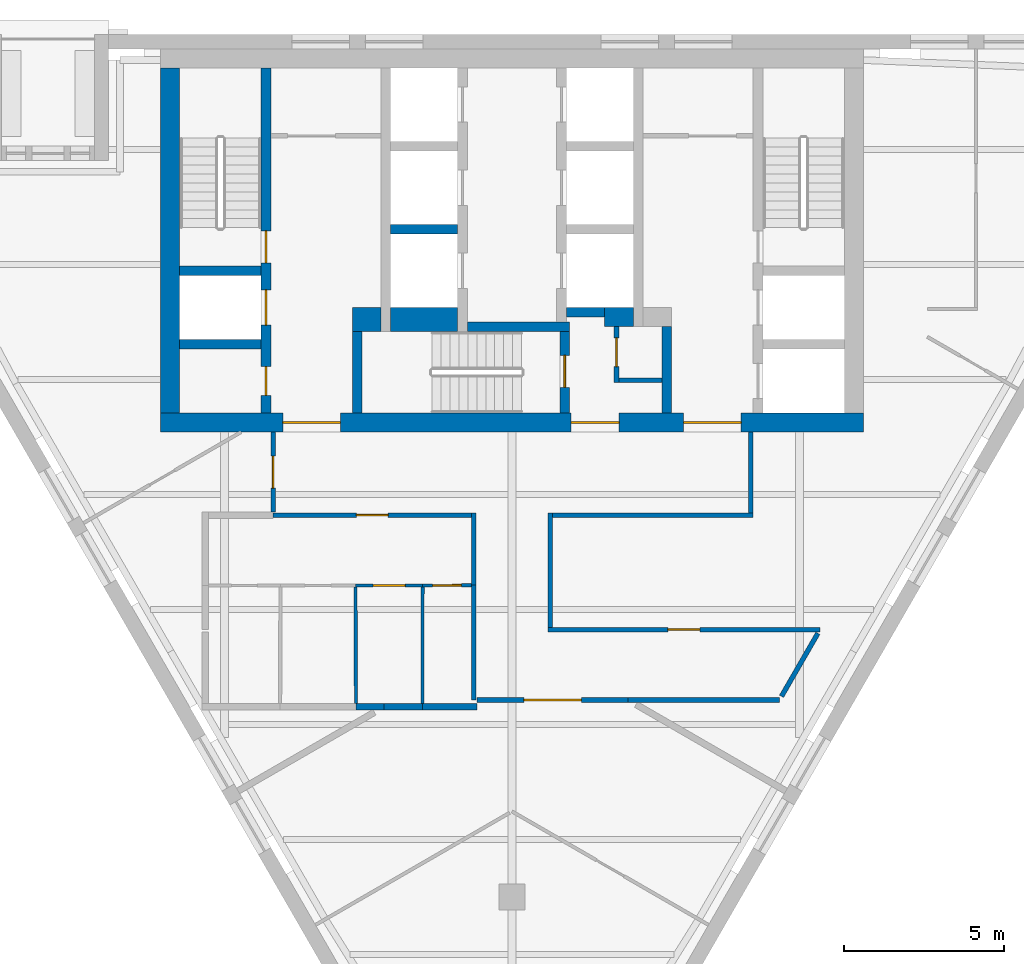
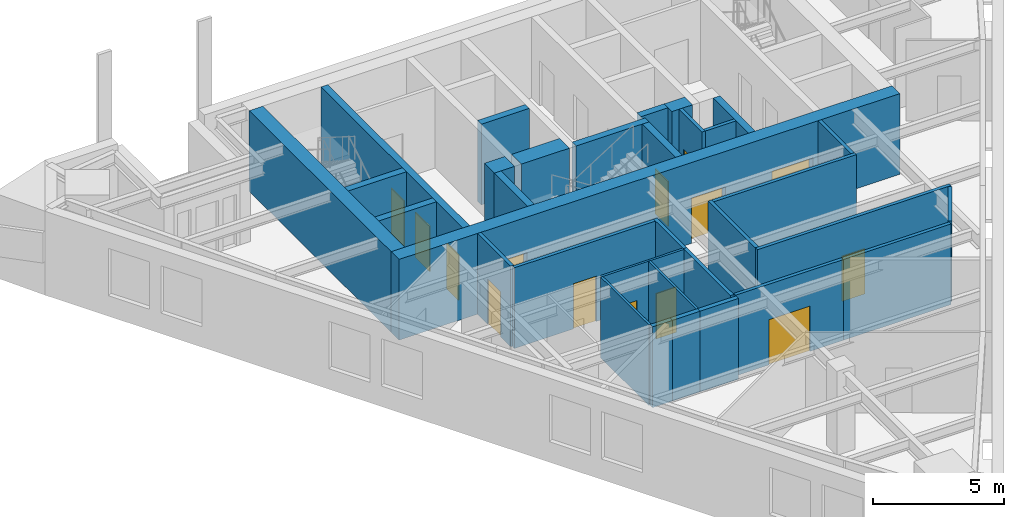
# One storey, part 3 of 6: 34 walls, 14 doors, 14 openings.
"""IFC4 building model written with IfcOpenShell, lengths in metres."""

from ifc_helpers import new_model, si_unit, direction, frame, frame_2d, origin, place, context, subcontext, project, spatial, rectangle, extrude, material, layer, layer_set, type_object, element, fill, save


model = new_model("IFC4")

# Units and contexts
model_context = context("Model", 3, precision=1e-05, world=origin(), true_north=direction((0.0, 1.0)))
body_context = subcontext(model_context, "Body", "Model", "MODEL_VIEW")
ifc_project = project(units=[si_unit("LENGTHUNIT", "METRE"), si_unit("AREAUNIT", "SQUARE_METRE"), si_unit("VOLUMEUNIT", "CUBIC_METRE"), si_unit("PLANEANGLEUNIT", "RADIAN"), si_unit("MASSUNIT", "GRAM", prefix="KILO")], contexts=[model_context])

# Site, building, storey
site_placement = place(None, origin())
site = spatial("IfcSite", under=ifc_project, at=site_placement, CompositionType="ELEMENT")
building_placement = place(site_placement, origin())
building = spatial("IfcBuilding", under=site, at=building_placement, Name="Aloe Facet Convention Tower", CompositionType="ELEMENT")
storey_placement = place(building_placement, frame((0.0, 0.0, 191.89990234375)))
storey = spatial("IfcBuildingStorey", under=building, at=storey_placement, Name="L48", CompositionType="ELEMENT", Elevation=191.89990234375)

# Wall, opening, door
ifc_material_1 = material(Name="Concrete blockwork partition", Category="masonry")
ifc_layer_1 = layer(ifc_material_1, 0.14990234375)
ifc_layer_set_1 = layer_set([ifc_layer_1], Name="CR-W-PART150")
wall_type_1 = type_object("IfcWallType", Name="CR-W-PART150", PredefinedType="PARTITIONING", material=ifc_layer_set_1)
wall_1_placement = place(storey_placement, frame((83.27490234375, 125.85009765625, 0.0), z_axis=(0.0, 0.0, 1.0), x_axis=(0.0, -1.0, 0.0)))
wall_1 = element("IfcWall", 1, at=wall_1_placement, inside=storey, type_object=wall_type_1, Name="Core partition L48-022", PredefinedType="PARTITIONING", context=body_context, shape_type="SweptSolid", body=[
    extrude(rectangle(XDim=1.75, YDim=0.14990234375, at=frame_2d((0.875, 0.0))), origin(), (0.0, 0.0, 1.0), 3.75),
])
opening_1_placement = place(wall_1_placement, frame((0.35009765625, 0.0, 0.0)))
opening_1 = element("IfcOpeningElement", 2, at=opening_1_placement, cuts=wall_1, Name="Opening L48-CD12", PredefinedType="OPENING", context=body_context, shape_type="SweptSolid", body=[
    extrude(rectangle(XDim=0.89990234375, YDim=2.10009765625, at=frame_2d((0.449951171875, 1.050048828125))), frame((0.0, 0.0849609375, 0.0), z_axis=(0.0, -1.0, 0.0), x_axis=(1.0, 0.0, 0.0)), (0.0, 0.0, 1.0), 0.169921875),
])
ifc_material_2 = material(Name="Steel fire-resisting door set FD60", Category="steel")
door_type_1 = type_object("IfcDoorType", Name="CR-D-REFUGE-900-FD60-SRIGHT", OperationType="SINGLE_SWING_RIGHT", PredefinedType="DOOR", material=ifc_material_2)
door_1_placement = place(opening_1_placement, origin())
door_1 = element("IfcDoor", 3, at=door_1_placement, inside=storey, type_object=door_type_1, Name="Core door L48-CD12", OperationType="SINGLE_SWING_RIGHT", OverallHeight=2.10009765625, OverallWidth=0.89990234375, PredefinedType="DOOR", context=body_context, shape_type="SweptSolid", body=[
    extrude(rectangle(XDim=0.89990234375, YDim=2.10009765625, at=frame_2d((0.449951171875, 1.050048828125))), frame((0.0, 0.02490234375, 0.0), z_axis=(0.0, -1.0, 0.0), x_axis=(1.0, 0.0, 0.0)), (0.0, 0.0, 1.0), 0.050048828125),
])
fill(opening_1, door_1)

# Walls
wall_2_placement = place(storey_placement, frame((83.35009765625, 124.175048828125, 0.0), z_axis=(0.0, 0.0, 1.0), x_axis=(1.0, 0.0, 0.0)))
element("IfcWall", 4, at=wall_2_placement, inside=storey, type_object=wall_type_1, Name="Core partition L48-023", PredefinedType="PARTITIONING", context=body_context, shape_type="SweptSolid", body=[
    extrude(rectangle(XDim=1.349853515625, YDim=0.14990234375, at=frame_2d((0.6748046875, 0.0))), origin(), (0.0, 0.0, 1.0), 3.75),
])
ifc_material_3 = material(Name="Concrete C50/60", Category="concrete")
ifc_layer_2 = layer(ifc_material_3, 0.300048828125)
ifc_layer_set_2 = layer_set([ifc_layer_2], Name="CR-W-RC300-C5060")
wall_type_2 = type_object("IfcWallType", Name="CR-W-RC300-C5060", PredefinedType="SOLIDWALL", material=ifc_layer_set_2)
for number, where, z_axis, x_axis, name in (
    (5, (69.60009765625, 127.60009765625, 0.0), (0.0, 0.0, 1.0), (1.0, 0.0, 0.0), "Core wall L48-004"),
    (6, (69.60009765625, 125.300048828125, 0.0), (0.0, 0.0, 1.0), (1.0, 0.0, 0.0), "Core wall L48-005"),
):
    element("IfcWall", number, at=place(storey_placement, frame(where, z_axis=z_axis, x_axis=x_axis)), inside=storey, type_object=wall_type_2, Name=name, PredefinedType="SOLIDWALL", context=body_context, shape_type="SweptSolid", body=[
        extrude(rectangle(XDim=2.5498046875, YDim=0.300048828125, at=frame_2d((1.27490234375, 0.0))), origin(), (0.0, 0.0, 1.0), 3.75),
    ])

# Wall, openings, doors
wall_3_placement = place(storey_placement, frame((72.300048828125, 133.949951171875, 0.0), z_axis=(0.0, 0.0, 1.0), x_axis=(0.0, -1.0, 0.0)))
wall_3 = element("IfcWall", 7, at=wall_3_placement, inside=storey, type_object=wall_type_2, Name="Core wall L48-006", PredefinedType="SOLIDWALL", context=body_context, shape_type="SweptSolid", body=[
    extrude(rectangle(XDim=10.800048828125, YDim=0.300048828125, at=frame_2d((5.39990234375, 0.0))), origin(), (0.0, 0.0, 1.0), 3.75),
])
opening_2_placement = place(wall_3_placement, frame((6.949951171875, 0.0, 0.0)))
opening_2 = element("IfcOpeningElement", 8, at=opening_2_placement, cuts=wall_3, Name="Opening LD-FF1-L48", PredefinedType="OPENING", context=body_context, shape_type="SweptSolid", body=[
    extrude(rectangle(XDim=1.10009765625, YDim=2.10009765625, at=frame_2d((0.550048828125, 1.050048828125))), frame((0.0, 0.16015625, 0.0), z_axis=(0.0, -1.0, 0.0), x_axis=(1.0, 0.0, 0.0)), (0.0, 0.0, 1.0), 0.320068359375),
])
opening_3_placement = place(wall_3_placement, frame((9.35009765625, 0.0, 0.0)))
opening_3 = element("IfcOpeningElement", 9, at=opening_3_placement, cuts=wall_3, Name="Opening L48-CD15", PredefinedType="OPENING", context=body_context, shape_type="SweptSolid", body=[
    extrude(rectangle(XDim=0.89990234375, YDim=2.10009765625, at=frame_2d((0.449951171875, 1.050048828125))), frame((0.0, 0.16015625, 0.0), z_axis=(0.0, -1.0, 0.0), x_axis=(1.0, 0.0, 0.0)), (0.0, 0.0, 1.0), 0.320068359375),
])
opening_4_placement = place(wall_3_placement, frame((5.10009765625, 0.0, 0.0)))
opening_4 = element("IfcOpeningElement", 10, at=opening_4_placement, cuts=wall_3, Name="Opening L48-CD16", PredefinedType="OPENING", context=body_context, shape_type="SweptSolid", body=[
    extrude(rectangle(XDim=1.0, YDim=2.10009765625, at=frame_2d((0.5, 1.050048828125))), frame((0.0, 0.16015625, 0.0), z_axis=(0.0, -1.0, 0.0), x_axis=(1.0, 0.0, 0.0)), (0.0, 0.0, 1.0), 0.320068359375),
])
ifc_material_4 = material(Name="Steel fire-resisting door set FD60", Category="steel")
door_type_2 = type_object("IfcDoorType", Name="CR-D-ROOM-900-FD60-SLEFT", OperationType="SINGLE_SWING_LEFT", PredefinedType="DOOR", material=ifc_material_4)
door_2_placement = place(opening_3_placement, origin())
door_2 = element("IfcDoor", 11, at=door_2_placement, inside=storey, type_object=door_type_2, Name="Core door L48-CD15", OperationType="SINGLE_SWING_LEFT", OverallHeight=2.10009765625, OverallWidth=0.89990234375, PredefinedType="DOOR", context=body_context, shape_type="SweptSolid", body=[
    extrude(rectangle(XDim=0.89990234375, YDim=2.10009765625, at=frame_2d((0.449951171875, 1.050048828125))), frame((0.0, 0.02490234375, 0.0), z_axis=(0.0, -1.0, 0.0), x_axis=(1.0, 0.0, 0.0)), (0.0, 0.0, 1.0), 0.050048828125),
])
fill(opening_3, door_2)
ifc_material_5 = material(Name="Steel fire-resisting door set FD120", Category="steel")
door_type_3 = type_object("IfcDoorType", Name="CR-D-STAIR-1000-FD120-SRIGHT", OperationType="SINGLE_SWING_RIGHT", PredefinedType="DOOR", material=ifc_material_5)
door_3_placement = place(opening_4_placement, origin())
door_3 = element("IfcDoor", 12, at=door_3_placement, inside=storey, type_object=door_type_3, Name="Core door L48-CD16", OperationType="SINGLE_SWING_RIGHT", OverallHeight=2.10009765625, OverallWidth=1.0, PredefinedType="DOOR", context=body_context, shape_type="SweptSolid", body=[
    extrude(rectangle(XDim=1.0, YDim=2.10009765625, at=frame_2d((0.5, 1.050048828125))), frame((0.0, 0.02490234375, 0.0), z_axis=(0.0, -1.0, 0.0), x_axis=(1.0, 0.0, 0.0)), (0.0, 0.0, 1.0), 0.050048828125),
])
fill(opening_4, door_3)
ifc_material_6 = material(Name="Stainless steel sliding landing door", Category="steel")
door_type_4 = type_object("IfcDoorType", Name="CR-LD-1100-FD120-_LEFT", OperationType="SLIDING_TO_LEFT", PredefinedType="DOOR", material=ifc_material_6)
door_4_placement = place(opening_2_placement, origin())
door_4 = element("IfcDoor", 13, at=door_4_placement, inside=storey, type_object=door_type_4, Name="Landing door FF1 L48", OperationType="SLIDING_TO_LEFT", OverallHeight=2.10009765625, OverallWidth=1.10009765625, PredefinedType="DOOR", context=body_context, shape_type="SweptSolid", body=[
    extrude(rectangle(XDim=1.10009765625, YDim=2.10009765625, at=frame_2d((0.550048828125, 1.050048828125))), frame((0.0, 0.02490234375, 0.0), z_axis=(0.0, -1.0, 0.0), x_axis=(1.0, 0.0, 0.0)), (0.0, 0.0, 1.0), 0.050048828125),
])
fill(opening_2, door_4)

# Walls
wall_4_placement = place(storey_placement, frame((75.14990234375, 125.699951171875, 0.0), z_axis=(0.0, 0.0, 1.0), x_axis=(0.0, -1.0, 0.0)))
element("IfcWall", 14, at=wall_4_placement, inside=storey, type_object=wall_type_2, Name="Core wall L48-009", PredefinedType="SOLIDWALL", context=body_context, shape_type="SweptSolid", body=[
    extrude(rectangle(XDim=2.550048828125, YDim=0.300048828125, at=frame_2d((1.27490234375, 0.0))), origin(), (0.0, 0.0, 1.0), 3.75),
])
wall_5_placement = place(storey_placement, frame((76.199951171875, 128.89990234375, 0.0), z_axis=(0.0, 0.0, 1.0), x_axis=(1.0, 0.0, 0.0)))
element("IfcWall", 15, at=wall_5_placement, inside=storey, type_object=wall_type_2, Name="Core wall L48-012", PredefinedType="SOLIDWALL", context=body_context, shape_type="SweptSolid", body=[
    extrude(rectangle(XDim=2.10009765625, YDim=0.300048828125, at=frame_2d((1.050048828125, 0.0))), origin(), (0.0, 0.0, 1.0), 3.75),
])
wall_6_placement = place(storey_placement, frame((78.60009765625, 125.85009765625, 0.0), z_axis=(0.0, 0.0, 1.0), x_axis=(1.0, 0.0, 0.0)))
element("IfcWall", 16, at=wall_6_placement, inside=storey, type_object=wall_type_2, Name="Core wall L48-015", PredefinedType="SOLIDWALL", context=body_context, shape_type="SweptSolid", body=[
    extrude(rectangle(XDim=3.199951171875, YDim=0.300048828125, at=frame_2d((1.60009765625, 0.0))), origin(), (0.0, 0.0, 1.0), 3.75),
])

# Wall, opening, door
wall_7_placement = place(storey_placement, frame((81.64990234375, 125.699951171875, 0.0), z_axis=(0.0, 0.0, 1.0), x_axis=(0.0, -1.0, 0.0)))
wall_7 = element("IfcWall", 17, at=wall_7_placement, inside=storey, type_object=wall_type_2, Name="Core wall L48-017", PredefinedType="SOLIDWALL", context=body_context, shape_type="SweptSolid", body=[
    extrude(rectangle(XDim=2.550048828125, YDim=0.300048828125, at=frame_2d((1.27490234375, 0.0))), origin(), (0.0, 0.0, 1.0), 3.75),
])
opening_5_placement = place(wall_7_placement, frame((0.75, 0.0, 0.0)))
opening_5 = element("IfcOpeningElement", 18, at=opening_5_placement, cuts=wall_7, Name="Opening L48-CD18", PredefinedType="OPENING", context=body_context, shape_type="SweptSolid", body=[
    extrude(rectangle(XDim=1.0, YDim=2.10009765625, at=frame_2d((0.5, 1.050048828125))), frame((0.0, 0.16015625, 0.0), z_axis=(0.0, -1.0, 0.0), x_axis=(1.0, 0.0, 0.0)), (0.0, 0.0, 1.0), 0.320068359375),
])
ifc_material_7 = material(Name="Steel fire-resisting door set FD120", Category="steel")
door_type_5 = type_object("IfcDoorType", Name="CR-D-STAIR-1000-FD120-SLEFT", OperationType="SINGLE_SWING_LEFT", PredefinedType="DOOR", material=ifc_material_7)
door_5_placement = place(opening_5_placement, origin())
door_5 = element("IfcDoor", 19, at=door_5_placement, inside=storey, type_object=door_type_5, Name="Core door L48-CD18", OperationType="SINGLE_SWING_LEFT", OverallHeight=2.10009765625, OverallWidth=1.0, PredefinedType="DOOR", context=body_context, shape_type="SweptSolid", body=[
    extrude(rectangle(XDim=1.0, YDim=2.10009765625, at=frame_2d((0.5, 1.050048828125))), frame((0.0, 0.02490234375, 0.0), z_axis=(0.0, -1.0, 0.0), x_axis=(1.0, 0.0, 0.0)), (0.0, 0.0, 1.0), 0.050048828125),
])
fill(opening_5, door_5)

# Walls
wall_8_placement = place(storey_placement, frame((81.699951171875, 126.300048828125, 0.0), z_axis=(0.0, 0.0, 1.0), x_axis=(1.0, 0.0, 0.0)))
element("IfcWall", 20, at=wall_8_placement, inside=storey, type_object=wall_type_2, Name="Core wall L48-020", PredefinedType="SOLIDWALL", context=body_context, shape_type="SweptSolid", body=[
    extrude(rectangle(XDim=1.199951171875, YDim=0.300048828125, at=frame_2d((0.60009765625, 0.0))), origin(), (0.0, 0.0, 1.0), 3.75),
])
wall_9_placement = place(storey_placement, frame((84.85009765625, 125.85009765625, 0.0), z_axis=(0.0, 0.0, 1.0), x_axis=(0.0, -1.0, 0.0)))
element("IfcWall", 21, at=wall_9_placement, inside=storey, type_object=wall_type_2, Name="Core wall L48-027", PredefinedType="SOLIDWALL", context=body_context, shape_type="SweptSolid", body=[
    extrude(rectangle(XDim=2.7001953125, YDim=0.300048828125, at=frame_2d((1.35009765625, 0.0))), origin(), (0.0, 0.0, 1.0), 3.75),
])
ifc_material_8 = material(Name="Concrete C50/60", Category="concrete")
ifc_layer_3 = layer(ifc_material_8, 0.60009765625)
ifc_layer_set_3 = layer_set([ifc_layer_3], Name="CR-W-RC600-C5060")
wall_type_3 = type_object("IfcWallType", Name="CR-W-RC600-C5060", PredefinedType="SOLIDWALL", material=ifc_layer_set_3)
wall_10_placement = place(storey_placement, frame((69.300048828125, 133.949951171875, 0.0), z_axis=(0.0, 0.0, 1.0), x_axis=(0.0, -1.0, 0.0)))
element("IfcWall", 22, at=wall_10_placement, inside=storey, type_object=wall_type_3, Name="Core wall L48-002", PredefinedType="SOLIDWALL", context=body_context, shape_type="SweptSolid", body=[
    extrude(rectangle(XDim=10.800048828125, YDim=0.60009765625, at=frame_2d((5.39990234375, 0.0))), origin(), (0.0, 0.0, 1.0), 3.75),
])

# Wall, openings, doors
wall_11_placement = place(storey_placement, frame((69.0, 122.85009765625, 0.0), z_axis=(0.0, 0.0, 1.0), x_axis=(1.0, 0.0, 0.0)))
wall_11 = element("IfcWall", 23, at=wall_11_placement, inside=storey, type_object=wall_type_3, Name="Core wall L48-003", PredefinedType="SOLIDWALL", context=body_context, shape_type="SweptSolid", body=[
    extrude(rectangle(XDim=22.0, YDim=0.60009765625, at=frame_2d((11.0, 0.0))), origin(), (0.0, 0.0, 1.0), 3.75),
])
opening_6_placement = place(wall_11_placement, frame((16.375, 0.0, 0.0)))
opening_6 = element("IfcOpeningElement", 24, at=opening_6_placement, cuts=wall_11, Name="Opening L48-CD09", PredefinedType="OPENING", context=body_context, shape_type="SweptSolid", body=[
    extrude(rectangle(XDim=1.800048828125, YDim=2.10009765625, at=frame_2d((0.89990234375, 1.050048828125))), frame((0.0, 0.31005859375, 0.0), z_axis=(0.0, -1.0, 0.0), x_axis=(1.0, 0.0, 0.0)), (0.0, 0.0, 1.0), 0.6201171875),
])
opening_7_placement = place(wall_11_placement, frame((3.824951171875, 0.0, 0.0)))
opening_7 = element("IfcOpeningElement", 25, at=opening_7_placement, cuts=wall_11, Name="Opening L48-CD10", PredefinedType="OPENING", context=body_context, shape_type="SweptSolid", body=[
    extrude(rectangle(XDim=1.800048828125, YDim=2.10009765625, at=frame_2d((0.89990234375, 1.050048828125))), frame((0.0, 0.31005859375, 0.0), z_axis=(0.0, -1.0, 0.0), x_axis=(1.0, 0.0, 0.0)), (0.0, 0.0, 1.0), 0.6201171875),
])
opening_8_placement = place(wall_11_placement, frame((12.85009765625, 0.0, 0.0)))
opening_8 = element("IfcOpeningElement", 26, at=opening_8_placement, cuts=wall_11, Name="Opening L48-CD11", PredefinedType="OPENING", context=body_context, shape_type="SweptSolid", body=[
    extrude(rectangle(XDim=1.5, YDim=2.10009765625, at=frame_2d((0.75, 1.050048828125))), frame((0.0, 0.31005859375, 0.0), z_axis=(0.0, -1.0, 0.0), x_axis=(1.0, 0.0, 0.0)), (0.0, 0.0, 1.0), 0.6201171875),
])
ifc_material_9 = material(Name="Steel fire-resisting door set FD60", Category="steel")
door_type_6 = type_object("IfcDoorType", Name="CR-D-EXIT-1500-FD60-DD", OperationType="DOUBLE_DOOR_DOUBLE_SWING", PredefinedType="DOOR", material=ifc_material_9)
door_6_placement = place(opening_8_placement, origin())
door_6 = element("IfcDoor", 27, at=door_6_placement, inside=storey, type_object=door_type_6, Name="Core door L48-CD11", OperationType="DOUBLE_DOOR_DOUBLE_SWING", OverallHeight=2.10009765625, OverallWidth=1.5, PredefinedType="DOOR", context=body_context, shape_type="SweptSolid", body=[
    extrude(rectangle(XDim=1.5, YDim=2.10009765625, at=frame_2d((0.75, 1.050048828125))), frame((0.0, 0.02490234375, 0.0), z_axis=(0.0, -1.0, 0.0), x_axis=(1.0, 0.0, 0.0)), (0.0, 0.0, 1.0), 0.050048828125),
])
fill(opening_8, door_6)
ifc_material_10 = material(Name="Steel fire-resisting door set FD120", Category="steel")
door_type_7 = type_object("IfcDoorType", Name="CR-D-EXIT-1800-FD120-DD", OperationType="DOUBLE_DOOR_DOUBLE_SWING", PredefinedType="DOOR", material=ifc_material_10)
door_7_placement = place(opening_6_placement, origin())
door_7 = element("IfcDoor", 28, at=door_7_placement, inside=storey, type_object=door_type_7, Name="Core door L48-CD09", OperationType="DOUBLE_DOOR_DOUBLE_SWING", OverallHeight=2.10009765625, OverallWidth=1.800048828125, PredefinedType="DOOR", context=body_context, shape_type="SweptSolid", body=[
    extrude(rectangle(XDim=1.800048828125, YDim=2.10009765625, at=frame_2d((0.89990234375, 1.050048828125))), frame((0.0, 0.02490234375, 0.0), z_axis=(0.0, -1.0, 0.0), x_axis=(1.0, 0.0, 0.0)), (0.0, 0.0, 1.0), 0.050048828125),
])
fill(opening_6, door_7)
door_8_placement = place(opening_7_placement, origin())
door_8 = element("IfcDoor", 29, at=door_8_placement, inside=storey, type_object=door_type_7, Name="Core door L48-CD10", OperationType="DOUBLE_DOOR_DOUBLE_SWING", OverallHeight=2.10009765625, OverallWidth=1.800048828125, PredefinedType="DOOR", context=body_context, shape_type="SweptSolid", body=[
    extrude(rectangle(XDim=1.800048828125, YDim=2.10009765625, at=frame_2d((0.89990234375, 1.050048828125))), frame((0.0, 0.02490234375, 0.0), z_axis=(0.0, -1.0, 0.0), x_axis=(1.0, 0.0, 0.0)), (0.0, 0.0, 1.0), 0.050048828125),
])
fill(opening_7, door_8)

# Walls
wall_12_placement = place(storey_placement, frame((82.89990234375, 126.14990234375, 0.0), z_axis=(0.0, 0.0, 1.0), x_axis=(1.0, 0.0, 0.0)))
element("IfcWall", 30, at=wall_12_placement, inside=storey, type_object=wall_type_3, Name="Core wall L48-021", PredefinedType="SOLIDWALL", context=body_context, shape_type="SweptSolid", body=[
    extrude(rectangle(XDim=0.900146484375, YDim=0.60009765625, at=frame_2d((0.4501953125, 0.0))), origin(), (0.0, 0.0, 1.0), 3.75),
])
ifc_material_11 = material(Name="Concrete C50/60", Category="concrete")
ifc_layer_4 = layer(ifc_material_11, 0.75)
ifc_layer_set_4 = layer_set([ifc_layer_4], Name="CR-W-RC750-C5060")
wall_type_4 = type_object("IfcWallType", Name="CR-W-RC750-C5060", PredefinedType="SOLIDWALL", material=ifc_layer_set_4)
wall_13_placement = place(storey_placement, frame((75.0, 126.074951171875, 0.0), z_axis=(0.0, 0.0, 1.0), x_axis=(1.0, 0.0, 0.0)))
element("IfcWall", 31, at=wall_13_placement, inside=storey, type_object=wall_type_4, Name="Core wall L48-008", PredefinedType="SOLIDWALL", context=body_context, shape_type="SweptSolid", body=[
    extrude(rectangle(XDim=0.89990234375, YDim=0.75, at=frame_2d((0.449951171875, 0.0))), origin(), (0.0, 0.0, 1.0), 3.75),
])
wall_14_placement = place(storey_placement, frame((76.199951171875, 126.074951171875, 0.0), z_axis=(0.0, 0.0, 1.0), x_axis=(1.0, 0.0, 0.0)))
element("IfcWall", 32, at=wall_14_placement, inside=storey, type_object=wall_type_4, Name="Core wall L48-013", PredefinedType="SOLIDWALL", context=body_context, shape_type="SweptSolid", body=[
    extrude(rectangle(XDim=2.10009765625, YDim=0.75, at=frame_2d((1.050048828125, 0.0))), origin(), (0.0, 0.0, 1.0), 3.75),
])

# Wall, opening, door
ifc_material_12 = material(Name="Gypsum board partition on steel studs", Category="steel")
ifc_layer_5 = layer(ifc_material_12, 0.14990234375)
ifc_layer_set_5 = layer_set([ifc_layer_5], Name="IN-W-CORR")
wall_type_5 = type_object("IfcWallType", Name="IN-W-CORR", PredefinedType="PARTITIONING", material=ifc_layer_set_5)
wall_15_placement = place(storey_placement, frame((78.89990234375, 114.166748046875, 0.0), z_axis=(0.0, 0.0, 1.0), x_axis=(1.0, 0.0, 0.0)))
wall_15 = element("IfcWall", 33, at=wall_15_placement, inside=storey, type_object=wall_type_5, Name="Partition L48-W010", PredefinedType="PARTITIONING", context=body_context, shape_type="SweptSolid", body=[
    extrude(rectangle(XDim=4.7373046875, YDim=0.14990234375, at=frame_2d((2.36865234375, 0.0))), origin(), (0.0, 0.0, 1.0), 3.75),
])
opening_9_placement = place(wall_15_placement, frame((1.46875, 0.0, 0.0)))
opening_9 = element("IfcOpeningElement", 34, at=opening_9_placement, cuts=wall_15, Name="Opening L48-012", PredefinedType="OPENING", context=body_context, shape_type="SweptSolid", body=[
    extrude(rectangle(XDim=1.800048828125, YDim=2.10009765625, at=frame_2d((0.89990234375, 1.050048828125))), frame((0.0, 0.0849609375, 0.0), z_axis=(0.0, -1.0, 0.0), x_axis=(1.0, 0.0, 0.0)), (0.0, 0.0, 1.0), 0.169921875),
])
ifc_material_13 = material(Name="Glazed timber door pair FD30S", Category="wood")
door_type_8 = type_object("IfcDoorType", Name="IN-OFF-D-SUITE", OperationType="DOUBLE_DOOR_SINGLE_SWING", PredefinedType="DOOR", material=ifc_material_13)
door_9_placement = place(opening_9_placement, origin())
door_9 = element("IfcDoor", 35, at=door_9_placement, inside=storey, type_object=door_type_8, Name="Door L48-012", OperationType="SINGLE_SWING_LEFT", OverallHeight=2.10009765625, OverallWidth=1.800048828125, PredefinedType="DOOR", context=body_context, shape_type="SweptSolid", body=[
    extrude(rectangle(XDim=1.800048828125, YDim=2.10009765625, at=frame_2d((0.89990234375, 1.050048828125))), frame((0.0, 0.02490234375, 0.0), z_axis=(0.0, -1.0, 0.0), x_axis=(1.0, 0.0, 0.0)), (0.0, 0.0, 1.0), 0.050048828125),
])
fill(opening_9, door_9)

# Walls
wall_16_placement = place(storey_placement, frame((78.800048828125, 114.166748046875, 0.0), z_axis=(0.0, 0.0, 1.0), x_axis=(0.0, 1.0, 0.0)))
element("IfcWall", 36, at=wall_16_placement, inside=storey, type_object=wall_type_5, Name="Partition L48-W011", PredefinedType="PARTITIONING", context=body_context, shape_type="SweptSolid", body=[
    extrude(rectangle(XDim=3.59326171875, YDim=0.14990234375, at=frame_2d((1.796630859375, 0.0))), origin(), (0.0, 0.0, 1.0), 3.75),
])
wall_17_placement = place(storey_placement, frame((83.63720703125, 114.166748046875, 0.0), z_axis=(0.0, 0.0, 1.0), x_axis=(1.0, 0.0, 0.0)))
element("IfcWall", 37, at=wall_17_placement, inside=storey, type_object=wall_type_5, Name="Partition L48-W013", PredefinedType="PARTITIONING", context=body_context, shape_type="SweptSolid", body=[
    extrude(rectangle(XDim=4.732177734375, YDim=0.14990234375, at=frame_2d((2.3662109375, 0.0))), origin(), (0.0, 0.0, 1.0), 3.75),
])

# Wall, opening, door
wall_18_placement = place(storey_placement, frame((81.125, 116.36669921875, 0.0), z_axis=(0.0, 0.0, 1.0), x_axis=(1.0, 0.0, 0.0)))
wall_18 = element("IfcWall", 38, at=wall_18_placement, inside=storey, type_object=wall_type_5, Name="Partition L48-W015", PredefinedType="PARTITIONING", context=body_context, shape_type="SweptSolid", body=[
    extrude(rectangle(XDim=8.5146484375, YDim=0.14990234375, at=frame_2d((4.25732421875, 0.0))), origin(), (0.0, 0.0, 1.0), 3.75),
])
opening_10_placement = place(wall_18_placement, frame((3.75732421875, 0.0, 0.0)))
opening_10 = element("IfcOpeningElement", 39, at=opening_10_placement, cuts=wall_18, Name="Opening L48-009", PredefinedType="OPENING", context=body_context, shape_type="SweptSolid", body=[
    extrude(rectangle(XDim=1.0, YDim=2.10009765625, at=frame_2d((0.5, 1.050048828125))), frame((0.0, 0.0849609375, 0.0), z_axis=(0.0, -1.0, 0.0), x_axis=(1.0, 0.0, 0.0)), (0.0, 0.0, 1.0), 0.169921875),
])
ifc_material_14 = material(Name="Timber door FD30S with vision panel", Category="wood")
door_type_9 = type_object("IfcDoorType", Name="IN-OFF-D-ENTRY", OperationType="SINGLE_SWING_LEFT", PredefinedType="DOOR", material=ifc_material_14)
door_10_placement = place(opening_10_placement, origin())
door_10 = element("IfcDoor", 40, at=door_10_placement, inside=storey, type_object=door_type_9, Name="Door L48-009", OperationType="SINGLE_SWING_LEFT", OverallHeight=2.10009765625, OverallWidth=1.0, PredefinedType="DOOR", context=body_context, shape_type="SweptSolid", body=[
    extrude(rectangle(XDim=1.0, YDim=2.10009765625, at=frame_2d((0.5, 1.050048828125))), frame((0.0, 0.02490234375, 0.0), z_axis=(0.0, -1.0, 0.0), x_axis=(1.0, 0.0, 0.0)), (0.0, 0.0, 1.0), 0.050048828125),
])
fill(opening_10, door_10)

# Walls
wall_19_placement = place(storey_placement, frame((88.434326171875, 114.279296875, 0.0), z_axis=(0.0, 0.0, 1.0), x_axis=(0.500065330854, 0.865987681712, 0.0)))
element("IfcWall", 41, at=wall_19_placement, inside=storey, type_object=wall_type_5, Name="Partition L48-W016", PredefinedType="PARTITIONING", context=body_context, shape_type="SweptSolid", body=[
    extrude(rectangle(XDim=2.280517578125, YDim=0.14990234375, at=frame_2d((1.14013671875, 0.0))), origin(), (0.0, 0.0, 1.0), 3.75),
])
wall_20_placement = place(storey_placement, frame((78.800048828125, 117.760009765625, 0.0), z_axis=(0.0, 0.0, 1.0), x_axis=(0.0, 1.0, 0.0)))
element("IfcWall", 42, at=wall_20_placement, inside=storey, type_object=wall_type_5, Name="Partition L48-W017", PredefinedType="PARTITIONING", context=body_context, shape_type="SweptSolid", body=[
    extrude(rectangle(XDim=2.264892578125, YDim=0.14990234375, at=frame_2d((1.13232421875, 0.0))), origin(), (0.0, 0.0, 1.0), 3.75),
])

# Wall, opening, door
wall_21_placement = place(storey_placement, frame((72.52490234375, 120.050048828125, 0.0), z_axis=(0.0, 0.0, 1.0), x_axis=(0.0, 1.0, 0.0)))
wall_21 = element("IfcWall", 43, at=wall_21_placement, inside=storey, type_object=wall_type_5, Name="Partition L48-W029", PredefinedType="PARTITIONING", context=body_context, shape_type="SweptSolid", body=[
    extrude(rectangle(XDim=2.5, YDim=0.14990234375, at=frame_2d((1.25, 0.0))), origin(), (0.0, 0.0, 1.0), 3.75),
])
opening_11_placement = place(wall_21_placement, frame((0.75, 0.0, 0.0)))
opening_11 = element("IfcOpeningElement", 44, at=opening_11_placement, cuts=wall_21, Name="Opening L48-008", PredefinedType="OPENING", context=body_context, shape_type="SweptSolid", body=[
    extrude(rectangle(XDim=1.0, YDim=2.10009765625, at=frame_2d((0.5, 1.050048828125))), frame((0.0, 0.0849609375, 0.0), z_axis=(0.0, -1.0, 0.0), x_axis=(1.0, 0.0, 0.0)), (0.0, 0.0, 1.0), 0.169921875),
])
door_11_placement = place(opening_11_placement, origin())
door_11 = element("IfcDoor", 45, at=door_11_placement, inside=storey, type_object=door_type_9, Name="Door L48-008", OperationType="SINGLE_SWING_LEFT", OverallHeight=2.10009765625, OverallWidth=1.0, PredefinedType="DOOR", context=body_context, shape_type="SweptSolid", body=[
    extrude(rectangle(XDim=1.0, YDim=2.10009765625, at=frame_2d((0.5, 1.050048828125))), frame((0.0, 0.02490234375, 0.0), z_axis=(0.0, -1.0, 0.0), x_axis=(1.0, 0.0, 0.0)), (0.0, 0.0, 1.0), 0.050048828125),
])
fill(opening_11, door_11)

wall_22_placement = place(storey_placement, frame((72.52490234375, 119.949951171875, 0.0), z_axis=(0.0, 0.0, 1.0), x_axis=(1.0, 0.0, 0.0)))
wall_22 = element("IfcWall", 46, at=wall_22_placement, inside=storey, type_object=wall_type_5, Name="Partition L48-W030", PredefinedType="PARTITIONING", context=body_context, shape_type="SweptSolid", body=[
    extrude(rectangle(XDim=6.2001953125, YDim=0.14990234375, at=frame_2d((3.10009765625, 0.0))), origin(), (0.0, 0.0, 1.0), 3.75),
])
opening_12_placement = place(wall_22_placement, frame((2.60009765625, 0.0, 0.0)))
opening_12 = element("IfcOpeningElement", 47, at=opening_12_placement, cuts=wall_22, Name="Opening L48-001", PredefinedType="OPENING", context=body_context, shape_type="SweptSolid", body=[
    extrude(rectangle(XDim=1.0, YDim=2.10009765625, at=frame_2d((0.5, 1.050048828125))), frame((0.0, 0.0849609375, 0.0), z_axis=(0.0, -1.0, 0.0), x_axis=(1.0, 0.0, 0.0)), (0.0, 0.0, 1.0), 0.169921875),
])
door_12_placement = place(opening_12_placement, origin())
door_12 = element("IfcDoor", 48, at=door_12_placement, inside=storey, type_object=door_type_9, Name="Door L48-001", OperationType="SINGLE_SWING_LEFT", OverallHeight=2.10009765625, OverallWidth=1.0, PredefinedType="DOOR", context=body_context, shape_type="SweptSolid", body=[
    extrude(rectangle(XDim=1.0, YDim=2.10009765625, at=frame_2d((0.5, 1.050048828125))), frame((0.0, 0.02490234375, 0.0), z_axis=(0.0, -1.0, 0.0), x_axis=(1.0, 0.0, 0.0)), (0.0, 0.0, 1.0), 0.050048828125),
])
fill(opening_12, door_12)

# Walls
wall_23_placement = place(storey_placement, frame((81.199951171875, 116.441650390625, 0.0), z_axis=(0.0, 0.0, 1.0), x_axis=(0.0, 1.0, 0.0)))
element("IfcWall", 49, at=wall_23_placement, inside=storey, type_object=wall_type_5, Name="Partition L48-W031", PredefinedType="PARTITIONING", context=body_context, shape_type="SweptSolid", body=[
    extrude(rectangle(XDim=3.583251953125, YDim=0.14990234375, at=frame_2d((1.79150390625, 0.0))), origin(), (0.0, 0.0, 1.0), 3.75),
])
wall_24_placement = place(storey_placement, frame((81.27490234375, 119.949951171875, 0.0), z_axis=(0.0, 0.0, 1.0), x_axis=(1.0, 0.0, 0.0)))
element("IfcWall", 50, at=wall_24_placement, inside=storey, type_object=wall_type_5, Name="Partition L48-W032", PredefinedType="PARTITIONING", context=body_context, shape_type="SweptSolid", body=[
    extrude(rectangle(XDim=6.275146484375, YDim=0.14990234375, at=frame_2d((3.1376953125, 0.0))), origin(), (0.0, 0.0, 1.0), 3.75),
])
wall_25_placement = place(storey_placement, frame((87.47509765625, 120.02490234375, 0.0), z_axis=(0.0, 0.0, 1.0), x_axis=(0.0, 1.0, 0.0)))
element("IfcWall", 51, at=wall_25_placement, inside=storey, type_object=wall_type_5, Name="Partition L48-W033", PredefinedType="PARTITIONING", context=body_context, shape_type="SweptSolid", body=[
    extrude(rectangle(XDim=2.525146484375, YDim=0.14990234375, at=frame_2d((1.2626953125, 0.0))), origin(), (0.0, 0.0, 1.0), 3.75),
])
ifc_material_15 = material(Name="Gypsum board partition on steel studs", Category="steel")
ifc_layer_6 = layer(ifc_material_15, 0.10009765625)
ifc_layer_set_6 = layer_set([ifc_layer_6], Name="IN-W-PART")
wall_type_6 = type_object("IfcWallType", Name="IN-W-PART", PredefinedType="PARTITIONING", material=ifc_layer_set_6)
for number, where, z_axis, x_axis, name in (
    (52, (75.11376953125, 114.050048828125, 0.0), (0.0, 0.0, 1.0), (-0.002608686776, 0.999996597371, 0.0), "Partition L48-W020"),
    (53, (77.1943359375, 114.050048828125, 0.0), (0.0, 0.0, 1.0), (0.002608686776, 0.999996597371, 0.0), "Partition L48-W022"),
):
    element("IfcWall", number, at=place(storey_placement, frame(where, z_axis=z_axis, x_axis=x_axis)), inside=storey, type_object=wall_type_6, Name=name, PredefinedType="PARTITIONING", context=body_context, shape_type="SweptSolid", body=[
        extrude(rectangle(XDim=3.64990234375, YDim=0.10009765625, at=frame_2d((1.824951171875, 0.0))), origin(), (0.0, 0.0, 1.0), 3.75),
    ])

# Wall, opening, door
wall_26_placement = place(storey_placement, frame((75.10400390625, 117.75, 0.0), z_axis=(0.0, 0.0, 1.0), x_axis=(1.0, 0.0, 0.0)))
wall_26 = element("IfcWall", 54, at=wall_26_placement, inside=storey, type_object=wall_type_6, Name="Partition L48-W023", PredefinedType="PARTITIONING", context=body_context, shape_type="SweptSolid", body=[
    extrude(rectangle(XDim=2.10009765625, YDim=0.10009765625, at=frame_2d((1.050048828125, 0.0))), origin(), (0.0, 0.0, 1.0), 3.75),
])
opening_13_placement = place(wall_26_placement, frame((0.550048828125, 0.0, 0.0)))
opening_13 = element("IfcOpeningElement", 55, at=opening_13_placement, cuts=wall_26, Name="Opening L48-004", PredefinedType="OPENING", context=body_context, shape_type="SweptSolid", body=[
    extrude(rectangle(XDim=1.0, YDim=2.10009765625, at=frame_2d((0.5, 1.050048828125))), frame((0.0, 0.06005859375, 0.0), z_axis=(0.0, -1.0, 0.0), x_axis=(1.0, 0.0, 0.0)), (0.0, 0.0, 1.0), 0.1201171875),
])
ifc_material_16 = material(Name="Timber door", Category="wood")
door_type_10 = type_object("IfcDoorType", Name="IN-OFF-D-WIDE", OperationType="SINGLE_SWING_LEFT", PredefinedType="DOOR", material=ifc_material_16)
door_13_placement = place(opening_13_placement, origin())
door_13 = element("IfcDoor", 56, at=door_13_placement, inside=storey, type_object=door_type_10, Name="Door L48-004", OperationType="SINGLE_SWING_LEFT", OverallHeight=2.10009765625, OverallWidth=1.0, PredefinedType="DOOR", context=body_context, shape_type="SweptSolid", body=[
    extrude(rectangle(XDim=1.0, YDim=2.10009765625, at=frame_2d((0.5, 1.050048828125))), frame((0.0, 0.02490234375, 0.0), z_axis=(0.0, -1.0, 0.0), x_axis=(1.0, 0.0, 0.0)), (0.0, 0.0, 1.0), 0.050048828125),
])
fill(opening_13, door_13)

wall_27_placement = place(storey_placement, frame((77.2041015625, 117.75, 0.0), z_axis=(0.0, 0.0, 1.0), x_axis=(0.999980406575, 0.006259909447, 0.0)))
wall_27 = element("IfcWall", 57, at=wall_27_placement, inside=storey, type_object=wall_type_6, Name="Partition L48-W024", PredefinedType="PARTITIONING", context=body_context, shape_type="SweptSolid", body=[
    extrude(rectangle(XDim=1.52099609375, YDim=0.10009765625, at=frame_2d((0.760498046875, 0.0))), origin(), (0.0, 0.0, 1.0), 3.75),
])
opening_14_placement = place(wall_27_placement, frame((0.310546875, 0.0, 0.0)))
opening_14 = element("IfcOpeningElement", 58, at=opening_14_placement, cuts=wall_27, Name="Opening L48-005", PredefinedType="OPENING", context=body_context, shape_type="SweptSolid", body=[
    extrude(rectangle(XDim=0.89990234375, YDim=2.10009765625, at=frame_2d((0.449951171875, 1.050048828125))), frame((0.0, 0.06005859375, 0.0), z_axis=(0.0, -1.0, 0.0), x_axis=(1.0, 0.0, 0.0)), (0.0, 0.0, 1.0), 0.1201171875),
])
ifc_material_17 = material(Name="Timber door", Category="wood")
door_type_11 = type_object("IfcDoorType", Name="IN-OFF-D-ROOM", OperationType="SINGLE_SWING_LEFT", PredefinedType="DOOR", material=ifc_material_17)
door_14_placement = place(opening_14_placement, origin())
door_14 = element("IfcDoor", 59, at=door_14_placement, inside=storey, type_object=door_type_11, Name="Door L48-005", OperationType="SINGLE_SWING_LEFT", OverallHeight=2.10009765625, OverallWidth=0.89990234375, PredefinedType="DOOR", context=body_context, shape_type="SweptSolid", body=[
    extrude(rectangle(XDim=0.89990234375, YDim=2.10009765625, at=frame_2d((0.449951171875, 1.050048828125))), frame((0.0, 0.02490234375, 0.0), z_axis=(0.0, -1.0, 0.0), x_axis=(1.0, 0.0, 0.0)), (0.0, 0.0, 1.0), 0.050048828125),
])
fill(opening_14, door_14)

# Walls
ifc_material_18 = material(Name="Gypsum board partition on steel studs", Category="steel")
ifc_layer_7 = layer(ifc_material_18, 0.199951171875)
ifc_layer_set_7 = layer_set([ifc_layer_7], Name="IN-W-PARTY")
wall_type_7 = type_object("IfcWallType", Name="IN-W-PARTY", PredefinedType="PARTITIONING", material=ifc_layer_set_7)
wall_28_placement = place(storey_placement, frame((75.114013671875, 113.949951171875, 0.0), z_axis=(0.0, 0.0, 1.0), x_axis=(1.0, 0.0, 0.0)))
element("IfcWall", 60, at=wall_28_placement, inside=storey, type_object=wall_type_7, Name="Partition L48-W006", PredefinedType="PARTITIONING", context=body_context, shape_type="SweptSolid", body=[
    extrude(rectangle(XDim=0.873291015625, YDim=0.199951171875, at=frame_2d((0.4365234375, 0.0))), origin(), (0.0, 0.0, 1.0), 3.75),
])
wall_29_placement = place(storey_placement, frame((75.9873046875, 113.949951171875, 0.0), z_axis=(0.0, 0.0, 1.0), x_axis=(1.0, 0.0, 0.0)))
element("IfcWall", 61, at=wall_29_placement, inside=storey, type_object=wall_type_7, Name="Partition L48-W007", PredefinedType="PARTITIONING", context=body_context, shape_type="SweptSolid", body=[
    extrude(rectangle(XDim=1.206787109375, YDim=0.199951171875, at=frame_2d((0.603515625, 0.0))), origin(), (0.0, 0.0, 1.0), 3.75),
])
wall_30_placement = place(storey_placement, frame((77.194091796875, 113.949951171875, 0.0), z_axis=(0.0, 0.0, 1.0), x_axis=(1.0, 0.0, 0.0)))
element("IfcWall", 62, at=wall_30_placement, inside=storey, type_object=wall_type_7, Name="Partition L48-W008", PredefinedType="PARTITIONING", context=body_context, shape_type="SweptSolid", body=[
    extrude(rectangle(XDim=1.705810546875, YDim=0.199951171875, at=frame_2d((0.85302734375, 0.0))), origin(), (0.0, 0.0, 1.0), 3.75),
])

save(model, "model.ifc")
